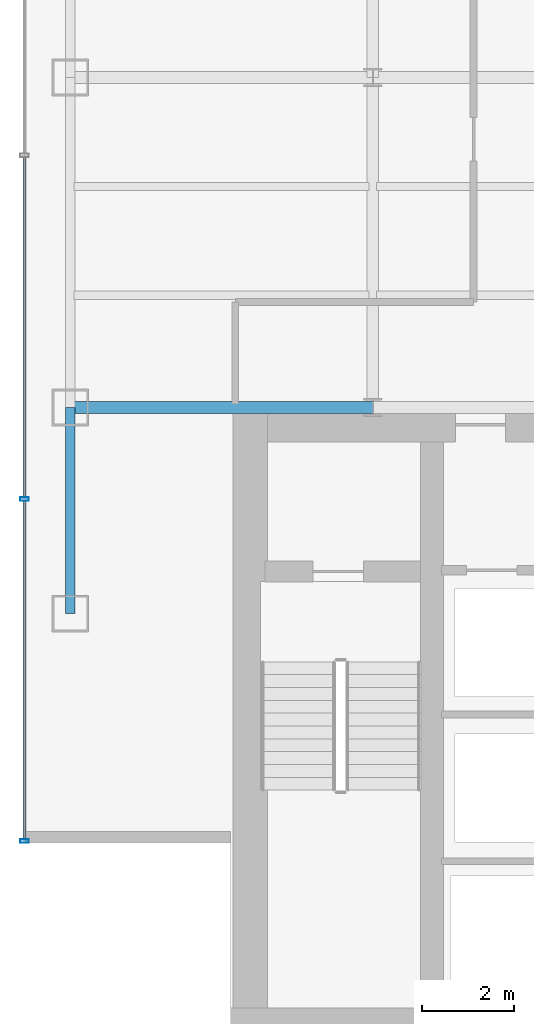
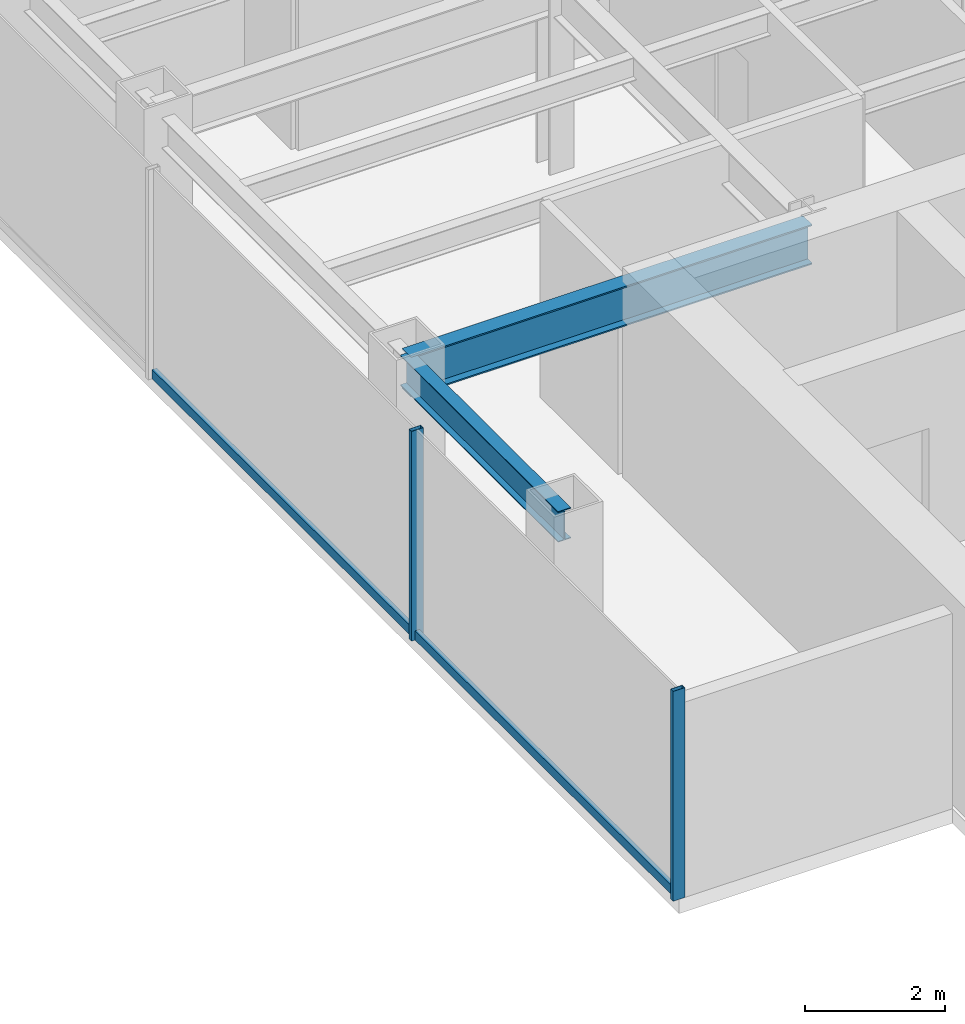
# One storey, part 2 of 26: 4 members, 2 beams, 1 element without a shape of its own.
"""IFC4 building model written with IfcOpenShell, lengths in metres."""

import ifcopenshell
import ifcopenshell.guid

model = None  # the IFC model being written
_history = None  # IfcOwnerHistory: only IFC2X3 demands one
_inside = {}  # id of a spatial element -> (the spatial element, [elements in it])
_under = {}  # id of a project, library or spatial element -> (it, [spatial elements below it])
_declared = {}  # id of a project -> (the project, [libraries it declares])
_typed = {}  # id of a type object -> (the type object, [elements of that type])
_made_of = {}  # id of a material, layer set ... -> (it, [elements and type objects made of it])


def new_model(schema):
    """Start an empty IFC model of exactly this schema.

    Asked for "IFC4X3", IfcOpenShell would pick the latest addendum, in which some entities
    have other attributes; the version numbers below select the first issue.
    IFC2X3 requires an IfcOwnerHistory on every rooted entity: one is made here for all.
    """
    global model, _history
    if schema == "IFC4X3":
        model = ifcopenshell.file(schema_version=(4, 3, 0, 0))
    else:
        model = ifcopenshell.file(schema=schema)
    _inside.clear()
    _under.clear()
    _declared.clear()
    _typed.clear()
    _made_of.clear()
    _history = None
    if model.schema == "IFC2X3":
        org = make("IfcOrganization", Name="unknown")
        user = make(
            "IfcPersonAndOrganization",
            ThePerson=make("IfcPerson", FamilyName="unknown"),
            TheOrganization=org,
        )
        app = make(
            "IfcApplication",
            ApplicationDeveloper=org,
            Version="unknown",
            ApplicationFullName="unknown",
            ApplicationIdentifier="unknown",
        )
        _history = make(
            "IfcOwnerHistory",
            OwningUser=user,
            OwningApplication=app,
            ChangeAction="ADDED",
            CreationDate=0,
        )
    return model


def make(cls, **values):
    """One entity of the class cls with the attributes given. An attribute that is None is left unset."""
    return model.create_entity(
        cls, **{name: value for name, value in values.items() if value is not None}
    )


def rooted(cls, **values):
    """An entity with a GlobalId (a new one), such as an element, a storey or a relation."""
    return make(cls, GlobalId=ifcopenshell.guid.new(), OwnerHistory=_history, **values)


def si_unit(unit_type, name, prefix=None):
    """IfcSIUnit, for example si_unit("LENGTHUNIT", "METRE", prefix="MILLI")."""
    return make("IfcSIUnit", UnitType=unit_type, Prefix=prefix, Name=name)


def derived_unit(unit_type, elements):
    """IfcDerivedUnit: a product of units, each with its exponent."""
    return make(
        "IfcDerivedUnit",
        Elements=[
            make("IfcDerivedUnitElement", Unit=unit, Exponent=power)
            for unit, power in elements
        ],
        UnitType=unit_type,
    )


def assignment(units):
    """IfcUnitAssignment: the units of a project."""
    return None if units is None else make("IfcUnitAssignment", Units=units)


def point(xyz):
    """IfcCartesianPoint."""
    return None if xyz is None else make("IfcCartesianPoint", Coordinates=xyz)


def direction(xyz):
    """IfcDirection."""
    return None if xyz is None else make("IfcDirection", DirectionRatios=xyz)


def frame(location, z_axis=None, x_axis=None):
    """IfcAxis2Placement3D, a coordinate frame: its origin and axes. An axis left out is left unset."""
    return make(
        "IfcAxis2Placement3D",
        Location=point(location),
        Axis=direction(z_axis),
        RefDirection=direction(x_axis),
    )


def frame_2d(location, x_axis=None):
    """IfcAxis2Placement2D, a coordinate frame in the plane: its origin and x axis."""
    return make(
        "IfcAxis2Placement2D", Location=point(location), RefDirection=direction(x_axis)
    )


def origin():
    """The frame at (0, 0, 0) with its axes left unset."""
    return frame((0.0, 0.0, 0.0))


def origin_2d():
    """The frame at (0, 0) in the plane with its x axis left unset."""
    return frame_2d((0.0, 0.0))


def place(relative_to, where):
    """IfcLocalPlacement: puts the frame where relative to a parent placement (None: the world)."""
    return make(
        "IfcLocalPlacement", PlacementRelTo=relative_to, RelativePlacement=where
    )


def context(
    kind, dimensions, precision=None, world=None, true_north=None, identifier=None
):
    """IfcGeometricRepresentationContext, for example the 3D "Model" context."""
    return make(
        "IfcGeometricRepresentationContext",
        ContextIdentifier=identifier,
        ContextType=kind,
        CoordinateSpaceDimension=dimensions,
        Precision=precision,
        WorldCoordinateSystem=world,
        TrueNorth=true_north,
    )


def subcontext(parent, identifier, kind, view, scale=None):
    """IfcGeometricRepresentationSubContext, for example "Body" below "Model"."""
    return make(
        "IfcGeometricRepresentationSubContext",
        ContextIdentifier=identifier,
        ContextType=kind,
        ParentContext=parent,
        TargetScale=scale,
        TargetView=view,
    )


def project(units=None, contexts=None):
    """IfcProject with its units and contexts."""
    return rooted(
        "IfcProject",
        Name="project",
        RepresentationContexts=contexts,
        UnitsInContext=assignment(units),
    )


def spatial(cls, under=None, at=None, **own):
    """A site, building, storey or space (cls), placed at a placement, below another one or the project."""
    s = rooted(cls, ObjectPlacement=at, **own)
    if under is not None:
        _under.setdefault(under.id(), (under, []))[1].append(s)
    return s


def profile(cls, at=None, kind="AREA", **sizes):
    """A parametric profile (cls). Its sizes go by their IFC names, for example OverallWidth=200.0."""
    return make(cls, ProfileType=kind, Position=at, **sizes)


def hollow_rectangle(**sizes):
    """IfcRectangleHollowProfileDef."""
    return profile("IfcRectangleHollowProfileDef", **sizes)


def i_section(**sizes):
    """IfcIShapeProfileDef."""
    return profile("IfcIShapeProfileDef", **sizes)


def extrude(swept, where, along, depth):
    """IfcExtrudedAreaSolid: the profile swept, set in the frame where, extruded along a direction by depth."""
    return make(
        "IfcExtrudedAreaSolid",
        SweptArea=swept,
        Position=where,
        ExtrudedDirection=direction(along),
        Depth=depth,
    )


def shape(context_of_items, identifier, shape_type, items):
    """IfcShapeRepresentation: the items that make up one representation, for example the "Body"."""
    return make(
        "IfcShapeRepresentation",
        ContextOfItems=context_of_items,
        RepresentationIdentifier=identifier,
        RepresentationType=shape_type,
        Items=items,
    )


def source(mapping_origin, context_of_items, identifier, shape_type, items):
    """IfcRepresentationMap: a shape defined once, which mapped items show again and again."""
    return make(
        "IfcRepresentationMap",
        MappingOrigin=mapping_origin,
        MappedRepresentation=shape(context_of_items, identifier, shape_type, items),
    )


def transform(
    local_origin,
    x_axis=None,
    y_axis=None,
    z_axis=None,
    scale=None,
    scale2=None,
    scale3=None,
    uniform=True,
):
    """IfcCartesianTransformationOperator3D, or its non-uniform kind. x_axis, y_axis, z_axis: its Axis1, 2, 3."""
    if uniform:
        return make(
            "IfcCartesianTransformationOperator3D",
            Axis1=direction(x_axis),
            Axis2=direction(y_axis),
            LocalOrigin=point(local_origin),
            Scale=scale,
            Axis3=direction(z_axis),
        )
    return make(
        "IfcCartesianTransformationOperator3DnonUniform",
        Axis1=direction(x_axis),
        Axis2=direction(y_axis),
        LocalOrigin=point(local_origin),
        Scale=scale,
        Axis3=direction(z_axis),
        Scale2=scale2,
        Scale3=scale3,
    )


def mapped(mapping_source, mapping_target):
    """IfcMappedItem: shows the shape of a source again, moved by a transform."""
    return make(
        "IfcMappedItem", MappingSource=mapping_source, MappingTarget=mapping_target
    )


def material(Name=None, Category=None):
    """IfcMaterial."""
    return make("IfcMaterial", Name=Name, Category=Category)


def material_profile(
    of_material, cross_section, Name=None, Category=None, Priority=None
):
    """IfcMaterialProfile: a cross section and its material."""
    return make(
        "IfcMaterialProfile",
        Name=Name,
        Material=of_material,
        Profile=cross_section,
        Priority=Priority,
        Category=Category,
    )


def profile_set(profiles, Name=None, composite=None):
    """IfcMaterialProfileSet."""
    return make(
        "IfcMaterialProfileSet",
        Name=Name,
        MaterialProfiles=profiles,
        CompositeProfile=composite,
    )


def made_of(thing, what):
    """Note that an element or type object is made of a material, layer set ...; save() writes the relation."""
    if what is not None:
        _made_of.setdefault(what.id(), (what, []))[1].append(thing)
    return thing


def type_object(cls, material=None, **own):
    """A type object (cls), such as IfcWallType, which elements share."""
    return made_of(rooted(cls, **own), material)


def element(
    cls,
    number,
    at=None,
    inside=None,
    cuts=None,
    type_object=None,
    material=None,
    context=None,
    identifier="Body",
    shape_type=None,
    held_by="IfcProductDefinitionShape",
    body=None,
    shapes=None,
    **own,
):
    """One element of the class cls, such as IfcWall. Its Tag is "e" and its number.

    at: its placement. inside: the storey or other place that contains it. cuts: it is an
    opening in that element (IfcRelVoidsElement). A single representation is given by context,
    identifier, shape_type and body (its items); several are given by shapes. held_by: the class
    of the entity that holds the representations. save() writes the other relations.
    """
    e = rooted(cls, Tag="e%d" % number, ObjectPlacement=at, **own)
    if body is not None:
        shapes = [shape(context, identifier, shape_type, body)]
    if shapes is not None:
        e.Representation = make(held_by, Representations=shapes)
    if inside is not None:
        _inside.setdefault(inside.id(), (inside, []))[1].append(e)
    if cuts is not None:
        rooted(
            "IfcRelVoidsElement", RelatingBuildingElement=cuts, RelatedOpeningElement=e
        )
    if type_object is not None:
        _typed.setdefault(type_object.id(), (type_object, []))[1].append(e)
    return made_of(e, material)


def aggregate(whole, parts):
    """IfcRelAggregates: a whole, such as a stair, and the parts it consists of."""
    return rooted("IfcRelAggregates", RelatingObject=whole, RelatedObjects=parts)


def save(model, path):
    """Write the relations noted so far, then the file.

    IfcRelAggregates (storeys below a building ...), IfcRelContainedInSpatialStructure (elements
    in a storey), IfcRelDefinesByType, IfcRelAssociatesMaterial and IfcRelDeclares: one each for
    every whole, place, type object, material and project.
    """
    for whole, parts in _under.values():
        aggregate(whole, parts)
    for where, things in _inside.values():
        rooted(
            "IfcRelContainedInSpatialStructure",
            RelatedElements=things,
            RelatingStructure=where,
        )
    for kind, things in _typed.values():
        rooted("IfcRelDefinesByType", RelatedObjects=things, RelatingType=kind)
    for what, things in _made_of.values():
        rooted("IfcRelAssociatesMaterial", RelatedObjects=things, RelatingMaterial=what)
    for by, libraries in _declared.values():
        rooted("IfcRelDeclares", RelatingContext=by, RelatedDefinitions=libraries)
    model.write(path)


model = new_model("IFC4")

# Units and contexts
model_context = context("Model", 3, precision=1e-05, world=origin(), true_north=direction((0.0, 1.0)))
body_context = subcontext(model_context, "Body", "Model", "MODEL_VIEW")
ifc_project = project(units=[si_unit("LENGTHUNIT", "METRE"), si_unit("AREAUNIT", "SQUARE_METRE"), si_unit("VOLUMEUNIT", "CUBIC_METRE"), si_unit("PLANEANGLEUNIT", "RADIAN"), si_unit("MASSUNIT", "GRAM", prefix="KILO"), derived_unit("THERMALTRANSMITTANCEUNIT", [(si_unit("POWERUNIT", "WATT"), 1), (si_unit("LENGTHUNIT", "METRE"), -2), (si_unit("THERMODYNAMICTEMPERATUREUNIT", "KELVIN"), -1)])], contexts=[model_context])

# Site, building, storey
site_placement = place(None, origin())
site = spatial("IfcSite", under=ifc_project, at=site_placement, CompositionType="ELEMENT")
building_placement = place(site_placement, origin())
building = spatial("IfcBuilding", under=site, at=building_placement, Name="Skarnbrae Concourse Arena and Tower", CompositionType="ELEMENT")
storey_placement = place(building_placement, frame((0.0, 0.0, 125.14990234375)))
storey = spatial("IfcBuildingStorey", under=building, at=storey_placement, Name="L31", CompositionType="ELEMENT", Elevation=125.14990234375)

# Beams
ifc_material_1 = material(Name="Steel CSA G40.21 350W", Category="steel")
ifc_material_profile_1 = material_profile(ifc_material_1, i_section(OverallWidth=0.256103515625, OverallDepth=0.693115234375, WebThickness=0.014404296875, FlangeThickness=0.023681640625, at=origin_2d()), Name="W690X170")
ifc_profile_set_1 = profile_set([ifc_material_profile_1], Name="Steel CSA G40.21 350W")
beam_type_1 = type_object("IfcBeamType", Name="BM-GIRD-W690X170", PredefinedType="BEAM", material=ifc_profile_set_1)
shared_shape_1 = source(origin(), body_context, "Body", "SweptSolid", [
    extrude(i_section(OverallWidth=0.256103515625, OverallDepth=0.693115234375, WebThickness=0.014404296875, FlangeThickness=0.023681640625, at=origin_2d()), origin(), (0.0, 0.0, 1.0), 6.60009765625),
])
beam_1_placement = place(storey_placement, frame((1.0, 14.0, 3.0537109375), z_axis=(1.0, 0.0, 0.0), x_axis=(0.0, 1.0, 0.0)))
element("IfcBeam", 1, at=beam_1_placement, inside=storey, type_object=beam_type_1, Name="L31 Primary E-W girder Y14.0-1", PredefinedType="BEAM", context=body_context, shape_type="MappedRepresentation", body=[
    mapped(shared_shape_1, transform((0.0, 0.0, 0.0))),
])
ifc_material_profile_2 = material_profile(ifc_material_1, i_section(OverallWidth=0.208984375, OverallDepth=0.532958984375, WebThickness=0.01025390625, FlangeThickness=0.015625, at=origin_2d()), Name="W530X92")
ifc_profile_set_2 = profile_set([ifc_material_profile_2], Name="Steel CSA G40.21 350W")
beam_type_2 = type_object("IfcBeamType", Name="BM-SPAN-W530X92", PredefinedType="SPANDREL", material=ifc_profile_set_2)
shared_shape_2 = source(origin(), body_context, "Body", "SweptSolid", [
    extrude(i_section(OverallWidth=0.208984375, OverallDepth=0.532958984375, WebThickness=0.01025390625, FlangeThickness=0.015625, at=origin_2d()), origin(), (0.0, 0.0, 1.0), 4.5),
])
beam_2_placement = place(storey_placement, frame((1.0, 9.5, 3.133544921875), z_axis=(0.0, 1.0, 0.0), x_axis=(-1.0, 0.0, 0.0)))
element("IfcBeam", 2, at=beam_2_placement, inside=storey, type_object=beam_type_2, Name="L31 Perimeter spandrel X1.0-1", PredefinedType="SPANDREL", context=body_context, shape_type="MappedRepresentation", body=[
    mapped(shared_shape_2, transform((0.0, 0.0, 0.0))),
])

# Curtain wall, members
ifc_material_2 = material(Name="Bronze anodised aluminium 6063-T6", Category="aluminium")
curtain_wall_type = type_object("IfcCurtainWallType", Name="CW-SYS-04-MIDZONE", PredefinedType="USERDEFINED", material=ifc_material_2)
curtain_wall_placement = place(storey_placement, origin())
curtain_wall = element("IfcCurtainWall", 3, at=curtain_wall_placement, inside=storey, type_object=curtain_wall_type, Name="L31 Unitised curtain wall CW-L31-E19", ObjectType="UNITISED CURTAIN WALL", PredefinedType="USERDEFINED")
ifc_material_profile_3 = material_profile(ifc_material_2, hollow_rectangle(XDim=0.074951171875, YDim=0.195068359375, WallThickness=0.00439453125, at=origin_2d()), Name="ALU-MULL-75X195")
ifc_profile_set_3 = profile_set([ifc_material_profile_3], Name="Bronze anodised aluminium 6063-T6")
member_type_1 = type_object("IfcMemberType", Name="CWM-CW-04", PredefinedType="MULLION", material=ifc_profile_set_3)
shared_shape_3 = source(origin(), body_context, "Body", "SweptSolid", [
    extrude(hollow_rectangle(XDim=0.074951171875, YDim=0.195068359375, WallThickness=0.00439453125, at=origin_2d()), origin(), (0.0, 0.0, 1.0), 3.650146484375),
])
member_1_placement = place(storey_placement, frame((0.0, 12.0, 0.0), z_axis=(0.0, 0.0, 1.0), x_axis=(0.0, -1.0, 0.0)))
member_1 = element("IfcMember", 4, at=member_1_placement, type_object=member_type_1, Name="CW-L31-E19 Mullion 4", PredefinedType="MULLION", context=body_context, shape_type="MappedRepresentation", body=[
    mapped(shared_shape_3, transform((0.0, 0.0, 0.0))),
])
member_2_placement = place(storey_placement, frame((0.0, 4.53759765625, 0.0), z_axis=(0.0, 0.0, 1.0), x_axis=(0.0, -1.0, 0.0)))
member_2 = element("IfcMember", 5, at=member_2_placement, type_object=member_type_1, Name="CW-L31-E19 Mullion 5", PredefinedType="MULLION", context=body_context, shape_type="MappedRepresentation", body=[
    mapped(shared_shape_3, transform((0.0, 0.0, 0.0))),
])
ifc_material_profile_4 = material_profile(ifc_material_2, hollow_rectangle(XDim=0.074951171875, YDim=0.159912109375, WallThickness=0.00439453125, at=origin_2d()), Name="ALU-TRAN-75X160")
ifc_profile_set_4 = profile_set([ifc_material_profile_4], Name="Bronze anodised aluminium 6063-T6")
member_type_2 = type_object("IfcMemberType", Name="CWT-CW-04", PredefinedType="USERDEFINED", material=ifc_profile_set_4)
shared_shape_4 = source(origin(), body_context, "Body", "SweptSolid", [
    extrude(hollow_rectangle(XDim=0.074951171875, YDim=0.159912109375, WallThickness=0.00439453125, at=origin_2d()), origin(), (0.0, 0.0, 1.0), 7.387451171875),
])
member_3_placement = place(storey_placement, frame((0.0, 11.96240234375, 0.080078125), z_axis=(0.0, -1.0, 0.0), x_axis=(1.0, 0.0, 0.0)))
member_3 = element("IfcMember", 6, at=member_3_placement, type_object=member_type_2, Name="CW-L31-E19 Transom 4", ObjectType="TRANSOM", PredefinedType="USERDEFINED", context=body_context, shape_type="MappedRepresentation", body=[
    mapped(shared_shape_4, transform((0.0, 0.0, 0.0))),
])
shared_shape_5 = source(origin(), body_context, "Body", "SweptSolid", [
    extrude(hollow_rectangle(XDim=0.074951171875, YDim=0.159912109375, WallThickness=0.00439453125, at=origin_2d()), origin(), (0.0, 0.0, 1.0), 7.4248046875),
])
member_4_placement = place(storey_placement, frame((0.0, 19.46240234375, 0.080078125), z_axis=(0.0, -1.0, 0.0), x_axis=(1.0, 0.0, 0.0)))
member_4 = element("IfcMember", 7, at=member_4_placement, type_object=member_type_2, Name="CW-L31-E19 Transom 3", ObjectType="TRANSOM", PredefinedType="USERDEFINED", context=body_context, shape_type="MappedRepresentation", body=[
    mapped(shared_shape_5, transform((0.0, 0.0, 0.0))),
])
aggregate(curtain_wall, [member_1, member_2, member_4, member_3])

save(model, "model.ifc")
